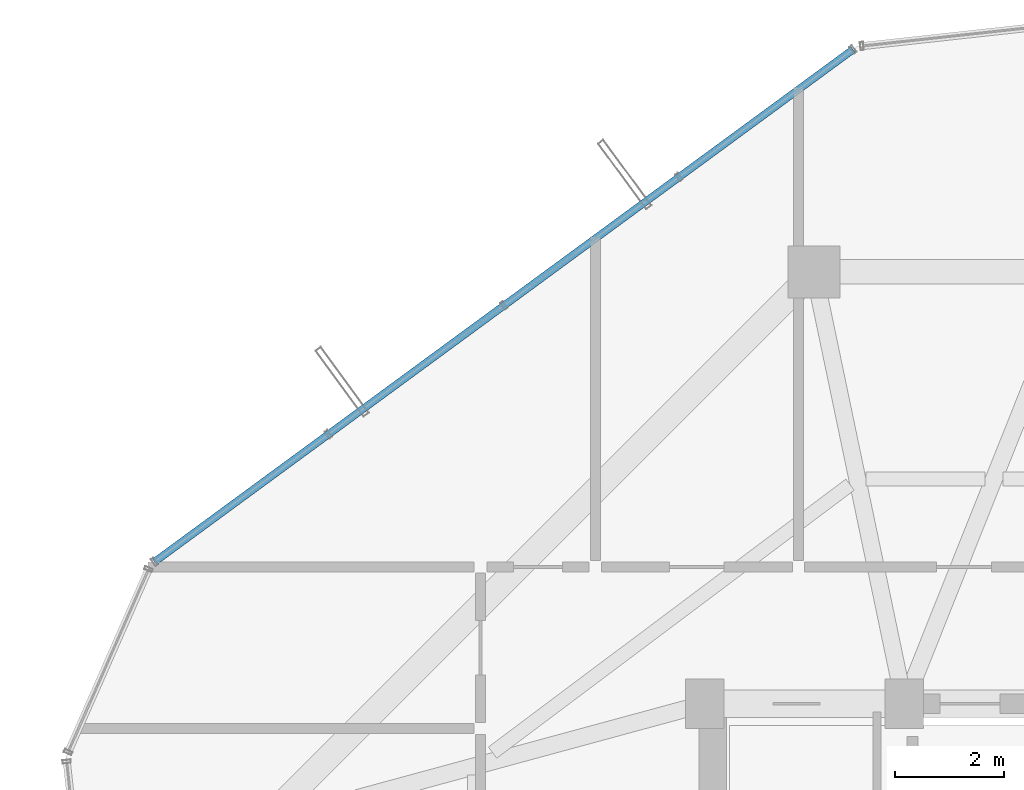
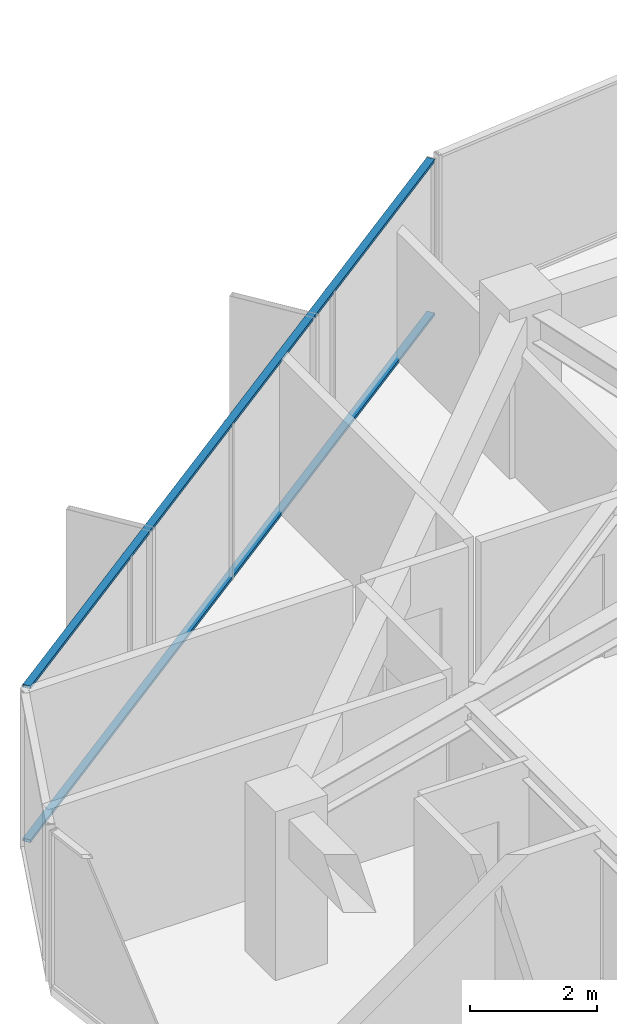
# One storey, part 22 of 32: 2 members, 1 element without a shape of its own.
"""IFC4 building model written with IfcOpenShell, lengths in metres."""

from ifc_helpers import new_model, si_unit, direction, frame, origin, origin_2d, place, context, subcontext, project, spatial, hollow_rectangle, extrude, source, transform, mapped, material, layer, layer_set, material_profile, profile_set, type_object, element, aggregate, save


model = new_model("IFC4")

# Units and contexts
model_context = context("Model", 3, precision=1e-05, world=origin(), true_north=direction((0.0, 1.0)))
body_context = subcontext(model_context, "Body", "Model", "MODEL_VIEW")
ifc_project = project(units=[si_unit("LENGTHUNIT", "METRE"), si_unit("AREAUNIT", "SQUARE_METRE"), si_unit("VOLUMEUNIT", "CUBIC_METRE"), si_unit("PLANEANGLEUNIT", "RADIAN"), si_unit("MASSUNIT", "GRAM", prefix="KILO")], contexts=[model_context])

# Site, building, storey
site_placement = place(None, origin())
site = spatial("IfcSite", under=ifc_project, at=site_placement, CompositionType="ELEMENT")
building_placement = place(site_placement, origin())
building = spatial("IfcBuilding", under=site, at=building_placement, Name="Veraguas Prism Commons", CompositionType="ELEMENT")
storey_placement = place(building_placement, frame((0.0, 0.0, 185.35009765625)))
storey = spatial("IfcBuildingStorey", under=building, at=storey_placement, Name="L52", CompositionType="ELEMENT", Elevation=185.35009765625)

# Curtain wall, members
ifc_material = material(Name="Anodised aluminium EN AW-6063 T6", Category="aluminium")
ifc_layer = layer(ifc_material, 0.14990234375, Name="Unitised Flush Curtain Wall Zone 3", Category="aluminium")
ifc_layer_set = layer_set([ifc_layer], Name="Anodised aluminium EN AW-6063 T6")
curtain_wall_type = type_object("IfcCurtainWallType", Name="Unitised Flush Curtain Wall Zone 3", PredefinedType="NOTDEFINED", material=ifc_layer_set)
curtain_wall_placement = place(storey_placement, origin())
curtain_wall = element("IfcCurtainWall", 1, at=curtain_wall_placement, inside=storey, type_object=curtain_wall_type, Name="Tower Facade Curtain Wall L52-F2", PredefinedType="NOTDEFINED")
ifc_material_profile = material_profile(ifc_material, hollow_rectangle(XDim=0.054931640625, YDim=0.135009765625, WallThickness=0.0029296875, at=origin_2d()), Name="AL55X135X3")
ifc_profile_set = profile_set([ifc_material_profile], Name="Anodised aluminium EN AW-6063 T6")
member_type = type_object("IfcMemberType", Name="Curtain Wall Transom Standard AL 55x135x3", PredefinedType="USERDEFINED", material=ifc_profile_set)
shared_shape = source(origin(), body_context, "Body", "SweptSolid", [
    extrude(hollow_rectangle(XDim=0.054931640625, YDim=0.135009765625, WallThickness=0.0029296875, at=origin_2d()), origin(), (0.0, 0.0, 1.0), 15.842529296875),
])
member_1_placement = place(storey_placement, frame((19.91259765625, 42.965576171875, 0.02734375), z_axis=(-0.80633836042, -0.591454519397, 0.0), x_axis=(0.0, 0.0, 1.0)))
member_1 = element("IfcMember", 2, at=member_1_placement, type_object=member_type, Name="CW-Z3 Transom 1", ObjectType="TRANSOM", PredefinedType="USERDEFINED", context=body_context, shape_type="MappedRepresentation", body=[
    mapped(shared_shape, transform((0.0, 0.0, 0.0), scale=1.0)),
])
member_2_placement = place(storey_placement, frame((19.91259765625, 42.965576171875, 2.9873046875), z_axis=(-0.80633836042, -0.591454519397, 0.0), x_axis=(0.0, 0.0, 1.0)))
member_2 = element("IfcMember", 3, at=member_2_placement, type_object=member_type, Name="CW-Z3 Transom 2", ObjectType="TRANSOM", PredefinedType="USERDEFINED", context=body_context, shape_type="MappedRepresentation", body=[
    mapped(shared_shape, transform((0.0, 0.0, 0.0), scale=1.0)),
])
aggregate(curtain_wall, [member_1, member_2])

save(model, "model.ifc")
